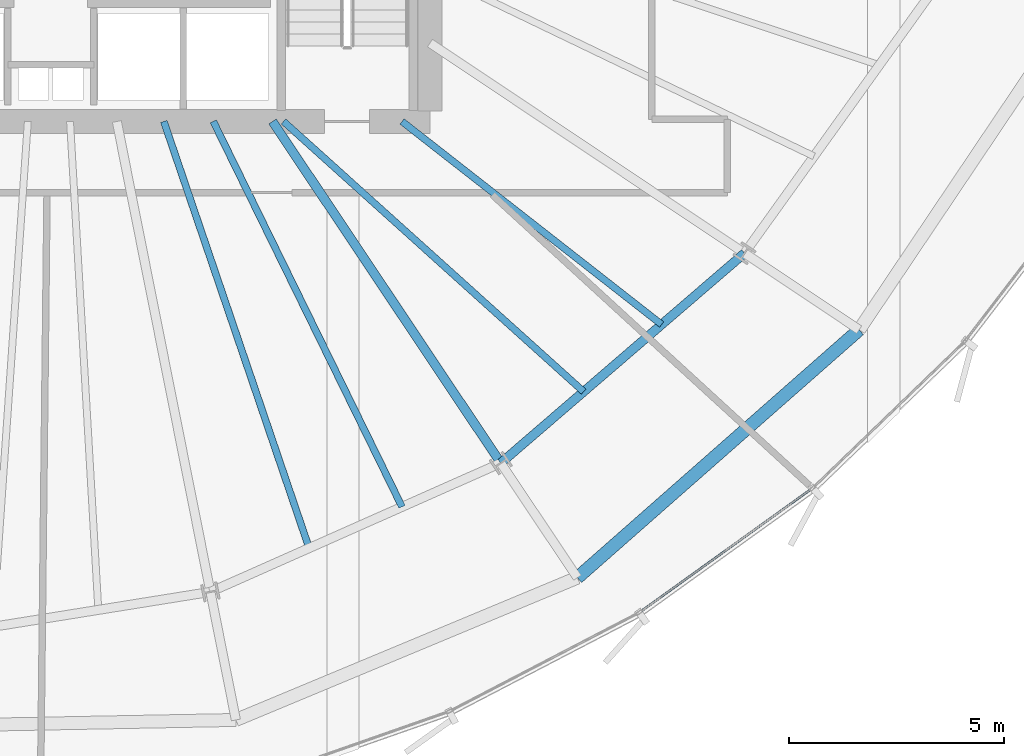
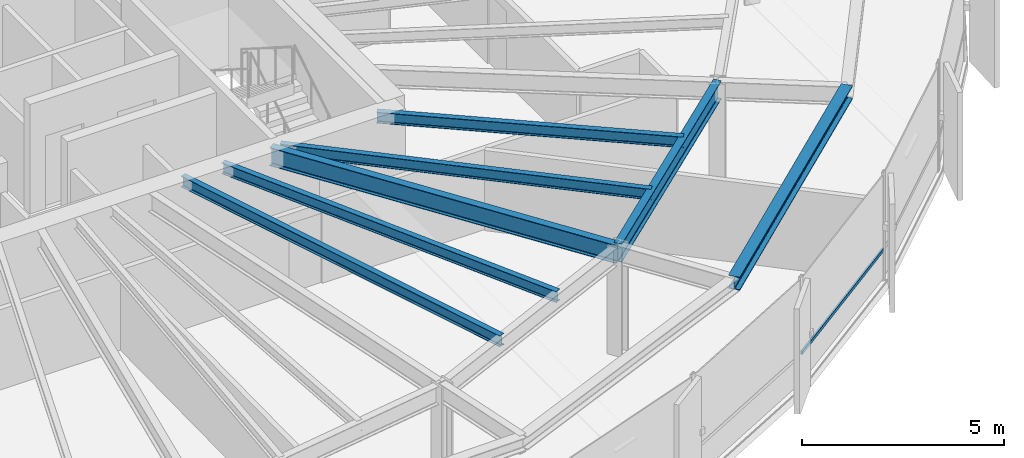
# One storey, part 12 of 34: 7 beams, 1 member, 1 element without a shape of its own.
"""IFC4 building model written with IfcOpenShell, lengths in metres."""

from ifc_helpers import new_model, si_unit, direction, frame, origin, origin_2d, place, context, subcontext, project, spatial, hollow_rectangle, i_section, extrude, source, transform, mapped, material, layer, layer_set, material_profile, profile_set, type_object, element, aggregate, save


model = new_model("IFC4")

# Units and contexts
model_context = context("Model", 3, precision=1e-05, world=origin(), true_north=direction((0.0, 1.0)))
body_context = subcontext(model_context, "Body", "Model", "MODEL_VIEW")
ifc_project = project(units=[si_unit("LENGTHUNIT", "METRE"), si_unit("AREAUNIT", "SQUARE_METRE"), si_unit("VOLUMEUNIT", "CUBIC_METRE"), si_unit("PLANEANGLEUNIT", "RADIAN"), si_unit("MASSUNIT", "GRAM", prefix="KILO"), si_unit("THERMODYNAMICTEMPERATUREUNIT", "KELVIN")], contexts=[model_context])

# Site, building, storey
site_placement = place(None, origin())
site = spatial("IfcSite", under=ifc_project, at=site_placement, CompositionType="ELEMENT")
building_placement = place(site_placement, origin())
building = spatial("IfcBuilding", under=site, at=building_placement, Name="Kethvar Cultural Tower", CompositionType="ELEMENT")
storey_placement = place(building_placement, frame((0.0, 0.0, 128.800048828125)))
storey = spatial("IfcBuildingStorey", under=building, at=storey_placement, Name="L32", CompositionType="ELEMENT", Elevation=128.800048828125)

# Beams
ifc_material_1 = material(Name="Steel S355J2", Category="steel")
ifc_material_profile_1 = material_profile(ifc_material_1, i_section(OverallWidth=0.2099609375, OverallDepth=0.550048828125, WebThickness=0.010986328125, FlangeThickness=0.01708984375, FilletRadius=0.02392578125, at=origin_2d()), Name="Steel S355J2 — IPE550")
ifc_profile_set_1 = profile_set([ifc_material_profile_1], Name="Steel S355J2 — IPE550")
beam_type_1 = type_object("IfcBeamType", Name="BM-IPE550", PredefinedType="BEAM", material=ifc_profile_set_1)
shared_shape_1 = source(origin(), body_context, "Body", "SweptSolid", [
    extrude(i_section(OverallWidth=0.2099609375, OverallDepth=0.550048828125, WebThickness=0.010986328125, FlangeThickness=0.01708984375, FilletRadius=0.02392578125, at=origin_2d()), origin(), (0.0, 0.0, 1.0), 9.534423828125),
])
beam_1_placement = place(storey_placement, frame((51.945068359375, 20.10009765625, 3.02294921875), z_axis=(0.555550817894, -0.831482584747, 0.0), x_axis=(0.831482584747, 0.555550817894, 0.0)))
element("IfcBeam", 1, at=beam_1_placement, inside=storey, type_object=beam_type_1, Name="L32 Primary Radial Beam RB-14", PredefinedType="BEAM", context=body_context, shape_type="MappedRepresentation", body=[
    mapped(shared_shape_1, transform((0.0, 0.0, 0.0), scale=1.0)),
])
ifc_material_profile_2 = material_profile(ifc_material_1, i_section(OverallWidth=0.159912109375, OverallDepth=0.330078125, WebThickness=0.007568359375, FlangeThickness=0.011474609375, FilletRadius=0.01806640625, at=origin_2d()), Name="Steel S355J2 — IPE330")
ifc_profile_set_2 = profile_set([ifc_material_profile_2], Name="Steel S355J2 — IPE330")
beam_type_2 = type_object("IfcBeamType", Name="BM-J330", PredefinedType="JOIST", material=ifc_profile_set_2)
shared_shape_2 = source(origin(), body_context, "Body", "SweptSolid", [
    extrude(i_section(OverallWidth=0.159912109375, OverallDepth=0.330078125, WebThickness=0.007568359375, FlangeThickness=0.011474609375, FilletRadius=0.01806640625, at=origin_2d()), origin(), (0.0, 0.0, 1.0), 10.45947265625),
])
beam_2_placement = place(storey_placement, frame((49.42236328125, 20.10009765625, 3.133056640625), z_axis=(0.322390188368, -0.94660687006, 0.0), x_axis=(0.94660687006, 0.322390188368, 0.0)))
element("IfcBeam", 2, at=beam_2_placement, inside=storey, type_object=beam_type_2, Name="L32 Composite Floor Joist J-13A", PredefinedType="JOIST", context=body_context, shape_type="MappedRepresentation", body=[
    mapped(shared_shape_2, transform((0.0, 0.0, 0.0), scale=1.0)),
])
shared_shape_3 = source(origin(), body_context, "Body", "SweptSolid", [
    extrude(i_section(OverallWidth=0.159912109375, OverallDepth=0.330078125, WebThickness=0.007568359375, FlangeThickness=0.011474609375, FilletRadius=0.01806640625, at=origin_2d()), origin(), (0.0, 0.0, 1.0), 9.959228515625),
])
beam_3_placement = place(storey_placement, frame((50.57080078125, 20.10009765625, 3.133056640625), z_axis=(0.439785134514, -0.898103020516, 0.0), x_axis=(0.898103020516, 0.439785134514, 0.0)))
element("IfcBeam", 3, at=beam_3_placement, inside=storey, type_object=beam_type_2, Name="L32 Composite Floor Joist J-13B", PredefinedType="JOIST", context=body_context, shape_type="MappedRepresentation", body=[
    mapped(shared_shape_3, transform((0.0, 0.0, 0.0), scale=1.0)),
])
shared_shape_4 = source(origin(), body_context, "Body", "SweptSolid", [
    extrude(i_section(OverallWidth=0.2099609375, OverallDepth=0.550048828125, WebThickness=0.010986328125, FlangeThickness=0.01708984375, FilletRadius=0.02392578125, at=origin_2d()), origin(), (0.0, 0.0, 1.0), 7.46484375),
])
beam_4_placement = place(storey_placement, frame((57.241943359375, 12.17236328125, 3.02294921875), z_axis=(0.757784075291, 0.652505398625, 0.0), x_axis=(-0.652505398625, 0.757784075291, 0.0)))
element("IfcBeam", 4, at=beam_4_placement, inside=storey, type_object=beam_type_1, Name="L32 Column Ring Tie Beam CR-14", PredefinedType="BEAM", context=body_context, shape_type="MappedRepresentation", body=[
    mapped(shared_shape_4, transform((0.0, 0.0, 0.0), scale=1.0)),
])
ifc_material_profile_3 = material_profile(ifc_material_1, i_section(OverallWidth=0.300048828125, OverallDepth=0.39990234375, WebThickness=0.013427734375, FlangeThickness=0.02392578125, FilletRadius=0.027099609375, at=origin_2d()), Name="Steel S355J2 — HEB400")
ifc_profile_set_3 = profile_set([ifc_material_profile_3], Name="Steel S355J2 — HEB400")
beam_type_3 = type_object("IfcBeamType", Name="BM-SP400", PredefinedType="SPANDREL", material=ifc_profile_set_3)
shared_shape_5 = source(origin(), body_context, "Body", "SweptSolid", [
    extrude(i_section(OverallWidth=0.300048828125, OverallDepth=0.39990234375, WebThickness=0.013427734375, FlangeThickness=0.02392578125, FilletRadius=0.027099609375, at=origin_2d()), origin(), (0.0, 0.0, 1.0), 8.71044921875),
])
beam_5_placement = place(storey_placement, frame((59.019775390625, 9.51171875, 3.097900390625), z_axis=(0.75077856833, 0.660553965498, 0.0), x_axis=(-0.660553965498, 0.75077856833, 0.0)))
element("IfcBeam", 5, at=beam_5_placement, inside=storey, type_object=beam_type_3, Name="L32 Perimeter Spandrel Beam SP-14", PredefinedType="SPANDREL", context=body_context, shape_type="MappedRepresentation", body=[
    mapped(shared_shape_5, transform((0.0, 0.0, 0.0), scale=1.0)),
])
shared_shape_6 = source(origin(), body_context, "Body", "SweptSolid", [
    extrude(i_section(OverallWidth=0.159912109375, OverallDepth=0.330078125, WebThickness=0.007568359375, FlangeThickness=0.011474609375, FilletRadius=0.01806640625, at=origin_2d()), origin(), (0.0, 0.0, 1.0), 9.372802734375),
])
beam_6_placement = place(storey_placement, frame((52.199951171875, 20.10009765625, 3.133056640625), z_axis=(0.743151656479, -0.669123019685, 0.0), x_axis=(0.669123019685, 0.743151656479, 0.0)))
element("IfcBeam", 6, at=beam_6_placement, inside=storey, type_object=beam_type_2, Name="L32 Composite Floor Joist J-14A", PredefinedType="JOIST", context=body_context, shape_type="MappedRepresentation", body=[
    mapped(shared_shape_6, transform((0.0, 0.0, 0.0), scale=1.0)),
])
shared_shape_7 = source(origin(), body_context, "Body", "SweptSolid", [
    extrude(i_section(OverallWidth=0.159912109375, OverallDepth=0.330078125, WebThickness=0.007568359375, FlangeThickness=0.011474609375, FilletRadius=0.01806640625, at=origin_2d()), origin(), (0.0, 0.0, 1.0), 7.649658203125),
])
beam_7_placement = place(storey_placement, frame((54.949951171875, 20.10009765625, 3.133056640625), z_axis=(0.787671994752, -0.616094821179, 0.0), x_axis=(0.616094821179, 0.787671994752, 0.0)))
element("IfcBeam", 7, at=beam_7_placement, inside=storey, type_object=beam_type_2, Name="L32 Composite Floor Joist J-14B", PredefinedType="JOIST", context=body_context, shape_type="MappedRepresentation", body=[
    mapped(shared_shape_7, transform((0.0, 0.0, 0.0), scale=1.0)),
])

# Curtain wall, member
ifc_material_2 = material(Name="Aluminium 6063-T6", Category="aluminium")
ifc_layer = layer(ifc_material_2, 0.179931640625, Name="Aluminium 6063-T6", Category="aluminium")
ifc_layer_set = layer_set([ifc_layer], Name="Aluminium 6063-T6 (180 mm)")
curtain_wall_type = type_object("IfcCurtainWallType", Name="CW-SYS-04-Z34", PredefinedType="NOTDEFINED", material=ifc_layer_set)
curtain_wall_placement = place(storey_placement, origin())
curtain_wall = element("IfcCurtainWall", 8, at=curtain_wall_placement, inside=storey, type_object=curtain_wall_type, Name="L32 Curtain Wall Run 05", PredefinedType="NOTDEFINED")
ifc_material_profile_4 = material_profile(ifc_material_2, hollow_rectangle(XDim=0.050048828125, YDim=0.10009765625, WallThickness=0.00390625, at=origin_2d()), Name="Aluminium 6063-T6 — RHS100x50x4")
ifc_profile_set_4 = profile_set([ifc_material_profile_4], Name="Aluminium 6063-T6 — RHS100x50x4")
member_type = type_object("IfcMemberType", Name="CW-SYS-04-Z34-TRN", PredefinedType="USERDEFINED", material=ifc_profile_set_4)
shared_shape_8 = source(origin(), body_context, "Body", "SweptSolid", [
    extrude(hollow_rectangle(XDim=0.050048828125, YDim=0.10009765625, WallThickness=0.00390625, at=origin_2d()), origin(), (0.0, 0.0, 1.0), 4.88134765625),
])
member_placement = place(storey_placement, frame((60.489501953125, 8.72607421875, 0.949951171875), z_axis=(0.812304898624, 0.583233016616, 0.0), x_axis=(-0.583233016616, 0.812304898624, 0.0)))
member = element("IfcMember", 9, at=member_placement, type_object=member_type, Name="CW-L32-R05 Transom 5", ObjectType="TRANSOM", PredefinedType="USERDEFINED", context=body_context, shape_type="MappedRepresentation", body=[
    mapped(shared_shape_8, transform((0.0, 0.0, 0.0), scale=1.0)),
])
aggregate(curtain_wall, [member])

save(model, "model.ifc")
